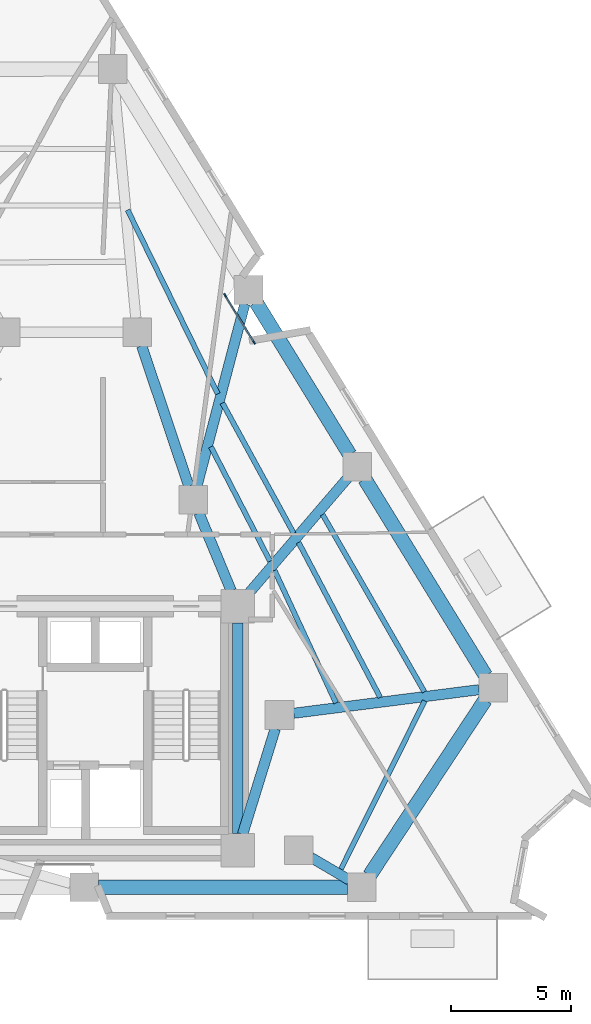
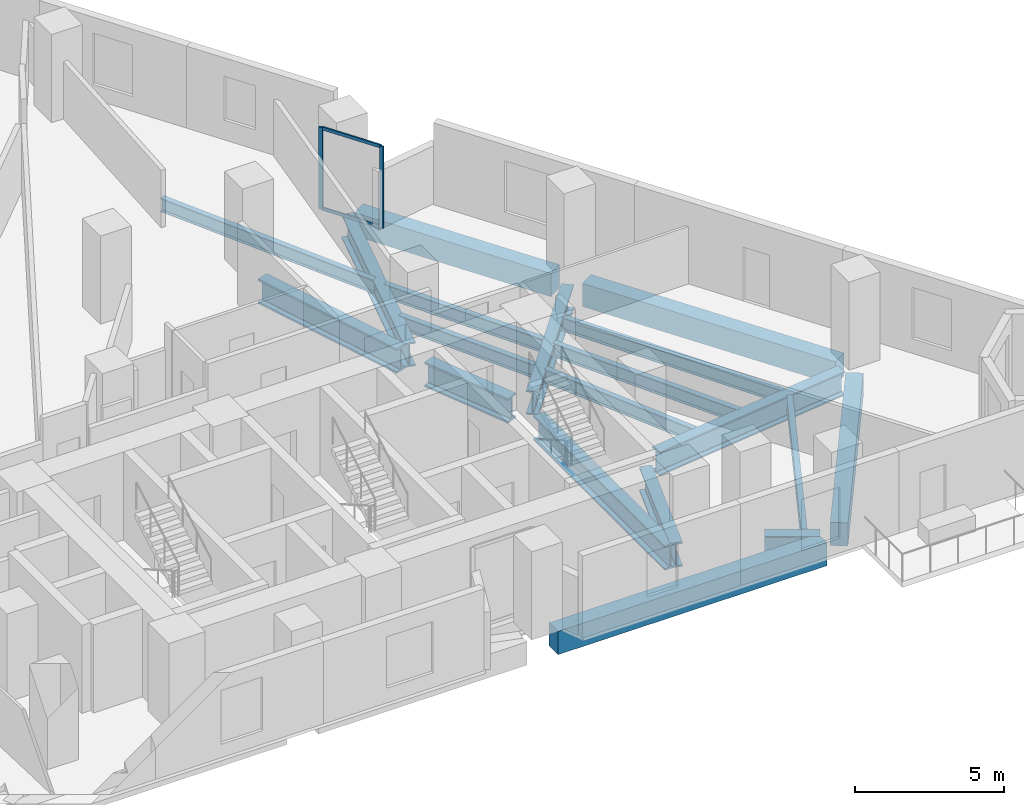
# One storey, part 4 of 12: 19 beams, 4 members, 1 element without a shape of its own.
"""IFC4 building model written with IfcOpenShell, lengths in metres."""

from ifc_helpers import new_model, si_unit, direction, frame, origin, origin_2d, place, context, subcontext, project, spatial, rectangle, i_section, extrude, material, layer, layer_set, material_profile, profile_set, type_object, element, aggregate, save


model = new_model("IFC4")

# Units and contexts
model_context = context("Model", 3, precision=1e-05, world=origin(), true_north=direction((0.0, 1.0)))
body_context = subcontext(model_context, "Body", "Model", "MODEL_VIEW")
ifc_project = project(units=[si_unit("LENGTHUNIT", "METRE"), si_unit("AREAUNIT", "SQUARE_METRE"), si_unit("VOLUMEUNIT", "CUBIC_METRE"), si_unit("PLANEANGLEUNIT", "RADIAN"), si_unit("MASSUNIT", "GRAM", prefix="KILO")], contexts=[model_context])

# Site, building, storey
site_placement = place(None, origin())
site = spatial("IfcSite", under=ifc_project, at=site_placement, CompositionType="ELEMENT")
building_placement = place(site_placement, origin())
building = spatial("IfcBuilding", under=site, at=building_placement, Name="Almagre Mirador Tower", CompositionType="ELEMENT")
storey_placement = place(building_placement, frame((0.0, 0.0, 93.0)))
storey = spatial("IfcBuildingStorey", under=building, at=storey_placement, Name="L23", CompositionType="ELEMENT", Elevation=93.0)

# Beams
ifc_material_1 = material(Name="Steel ASTM A992 Grade 50", Category="steel")
ifc_material_profile_1 = material_profile(ifc_material_1, i_section(OverallWidth=0.214111328125, OverallDepth=0.549072265625, WebThickness=0.0146484375, FlangeThickness=0.023681640625, FilletRadius=0.01806640625, at=origin_2d()), Name="W21X93")
ifc_profile_set_1 = profile_set([ifc_material_profile_1], Name="Steel ASTM A992 Grade 50")
beam_type_1 = type_object("IfcBeamType", Name="BM-JST-W21X93", PredefinedType="JOIST", material=ifc_profile_set_1)
beam_1_placement = place(storey_placement, frame((51.36865234375, 3.75927734375, -0.5244140625), z_axis=(0.445858512844, 0.89510345018, 0.0), x_axis=(-0.89510345018, 0.445858512844, 0.0)))
element("IfcBeam", 1, at=beam_1_placement, inside=storey, type_object=beam_type_1, Name="L23 secondary floor joist PC04-PC05.1", PredefinedType="JOIST", context=body_context, shape_type="SweptSolid", body=[
    extrude(i_section(OverallWidth=0.214111328125, OverallDepth=0.549072265625, WebThickness=0.0146484375, FlangeThickness=0.023681640625, FilletRadius=0.01806640625, at=origin_2d()), origin(), (0.0, 0.0, 1.0), 7.858154296875),
])
beam_2_placement = place(storey_placement, frame((54.861083984375, 11.170166015625, -0.5244140625), z_axis=(-0.498260180267, 0.867027561707, 0.0), x_axis=(-0.867027561707, -0.498260180267, 0.0)))
element("IfcBeam", 2, at=beam_2_placement, inside=storey, type_object=beam_type_1, Name="L23 secondary floor joist PC05-PC06.1", PredefinedType="JOIST", context=body_context, shape_type="SweptSolid", body=[
    extrude(i_section(OverallWidth=0.214111328125, OverallDepth=0.549072265625, WebThickness=0.0146484375, FlangeThickness=0.023681640625, FilletRadius=0.01806640625, at=origin_2d()), origin(), (0.0, 0.0, 1.0), 8.54638671875),
])
beam_3_placement = place(storey_placement, frame((53.010498046875, 10.937744140625, -0.5244140625), z_axis=(-0.466003449067, 0.884782903009, 0.0), x_axis=(-0.884782903009, -0.466003449067, 0.0)))
element("IfcBeam", 3, at=beam_3_placement, inside=storey, type_object=beam_type_1, Name="L23 secondary floor joist PC05-PC06.2", PredefinedType="JOIST", context=body_context, shape_type="SweptSolid", body=[
    extrude(i_section(OverallWidth=0.214111328125, OverallDepth=0.549072265625, WebThickness=0.0146484375, FlangeThickness=0.023681640625, FilletRadius=0.01806640625, at=origin_2d()), origin(), (0.0, 0.0, 1.0), 7.320556640625),
])
beam_4_placement = place(storey_placement, frame((51.16259765625, 10.7060546875, -0.5244140625), z_axis=(-0.420643946583, 0.90722580993, 0.0), x_axis=(-0.90722580993, -0.420643946583, 0.0)))
element("IfcBeam", 4, at=beam_4_placement, inside=storey, type_object=beam_type_1, Name="L23 secondary floor joist PC05-PC06.3", PredefinedType="JOIST", context=body_context, shape_type="SweptSolid", body=[
    extrude(i_section(OverallWidth=0.214111328125, OverallDepth=0.549072265625, WebThickness=0.0146484375, FlangeThickness=0.023681640625, FilletRadius=0.01806640625, at=origin_2d()), origin(), (0.0, 0.0, 1.0), 6.109375),
])
beam_5_placement = place(storey_placement, frame((49.396728515625, 17.7919921875, -0.5244140625), z_axis=(-0.479727277222, 0.877417653965, 0.0), x_axis=(-0.877417653965, -0.479727277222, 0.0)))
element("IfcBeam", 5, at=beam_5_placement, inside=storey, type_object=beam_type_1, Name="L23 secondary floor joist PC06-PC07.2", PredefinedType="JOIST", context=body_context, shape_type="SweptSolid", body=[
    extrude(i_section(OverallWidth=0.214111328125, OverallDepth=0.549072265625, WebThickness=0.0146484375, FlangeThickness=0.023681640625, FilletRadius=0.01806640625, at=origin_2d()), origin(), (0.0, 0.0, 1.0), 6.2138671875),
])
beam_6_placement = place(storey_placement, frame((48.404296875, 16.6328125, -0.5244140625), z_axis=(-0.459287235834, 0.888287810904, 0.0), x_axis=(-0.888287810904, -0.459287235834, 0.0)))
element("IfcBeam", 6, at=beam_6_placement, inside=storey, type_object=beam_type_1, Name="L23 secondary floor joist PC06-PC07.3", PredefinedType="JOIST", context=body_context, shape_type="SweptSolid", body=[
    extrude(i_section(OverallWidth=0.214111328125, OverallDepth=0.549072265625, WebThickness=0.0146484375, FlangeThickness=0.023681640625, FilletRadius=0.01806640625, at=origin_2d()), origin(), (0.0, 0.0, 1.0), 5.384765625),
])
beam_7_placement = place(storey_placement, frame((46.21875, 23.6240234375, -0.5244140625), z_axis=(-0.439958933101, 0.898017893577, 0.0), x_axis=(-0.898017893577, -0.439958933101, 0.0)))
element("IfcBeam", 7, at=beam_7_placement, inside=storey, type_object=beam_type_1, Name="L23 secondary floor joist PC07-PC08.2", PredefinedType="JOIST", context=body_context, shape_type="SweptSolid", body=[
    extrude(i_section(OverallWidth=0.214111328125, OverallDepth=0.549072265625, WebThickness=0.0146484375, FlangeThickness=0.023681640625, FilletRadius=0.01806640625, at=origin_2d()), origin(), (0.0, 0.0, 1.0), 8.565185546875),
])
ifc_material_2 = material(Name="Precast concrete C50/60", Category="concrete")
ifc_material_profile_2 = material_profile(ifc_material_2, rectangle(XDim=0.60009765625, YDim=0.949951171875, at=origin_2d()), Name="RC600X950")
ifc_profile_set_2 = profile_set([ifc_material_profile_2], Name="Precast concrete C50/60")
beam_type_2 = type_object("IfcBeamType", Name="BM-SPN-RC600X950", PredefinedType="SPANDREL", material=ifc_profile_set_2)
beam_8_placement = place(storey_placement, frame((41.239990234375, 3.0, -0.72509765625), z_axis=(1.0, 0.0, 0.0), x_axis=(0.0, 1.0, 0.0)))
element("IfcBeam", 8, at=beam_8_placement, inside=storey, type_object=beam_type_2, Name="L23 perimeter spandrel beam PC03-PC04", PredefinedType="SPANDREL", context=body_context, shape_type="SweptSolid", body=[
    extrude(rectangle(XDim=0.60009765625, YDim=0.949951171875, at=origin_2d()), origin(), (0.0, 0.0, 1.0), 10.39990234375),
])
beam_9_placement = place(storey_placement, frame((52.570068359375, 3.501220703125, -0.72509765625), z_axis=(0.550014218611, 0.835155290545, 0.0), x_axis=(-0.835155290545, 0.550014218611, 0.0)))
element("IfcBeam", 9, at=beam_9_placement, inside=storey, type_object=beam_type_2, Name="L23 perimeter spandrel beam PC04-PC05", PredefinedType="SPANDREL", context=body_context, shape_type="SweptSolid", body=[
    extrude(rectangle(XDim=0.60009765625, YDim=0.949951171875, at=origin_2d()), origin(), (0.0, 0.0, 1.0), 8.78125),
])
beam_10_placement = place(storey_placement, frame((57.415771484375, 11.84716796875, -0.72509765625), z_axis=(-0.523677963784, 0.85191630472, 0.0), x_axis=(-0.85191630472, -0.523677963784, 0.0)))
element("IfcBeam", 10, at=beam_10_placement, inside=storey, type_object=beam_type_2, Name="L23 perimeter spandrel beam PC05-PC06", PredefinedType="SPANDREL", context=body_context, shape_type="SweptSolid", body=[
    extrude(rectangle(XDim=0.60009765625, YDim=0.949951171875, at=origin_2d()), origin(), (0.0, 0.0, 1.0), 9.646240234375),
])
beam_11_placement = place(storey_placement, frame((51.73583984375, 21.087158203125, -0.72509765625), z_axis=(-0.523685630809, 0.851911591707, 0.0), x_axis=(-0.851911591707, -0.523685630809, 0.0)))
element("IfcBeam", 11, at=beam_11_placement, inside=storey, type_object=beam_type_2, Name="L23 perimeter spandrel beam PC06-PC07", PredefinedType="SPANDREL", context=body_context, shape_type="SweptSolid", body=[
    extrude(rectangle(XDim=0.60009765625, YDim=0.949951171875, at=origin_2d()), origin(), (0.0, 0.0, 1.0), 7.476806640625),
])
ifc_material_3 = material(Name="Steel ASTM A992 Grade 50", Category="steel")
ifc_material_profile_3 = material_profile(ifc_material_3, i_section(OverallWidth=0.427978515625, OverallDepth=0.97509765625, WebThickness=0.031005859375, FlangeThickness=0.055908203125, FilletRadius=0.028076171875, at=origin_2d()), Name="W36X395")
ifc_profile_set_3 = profile_set([ifc_material_profile_3], Name="Steel ASTM A992 Grade 50")
beam_type_3 = type_object("IfcBeamType", Name="BM-STL-W36X395", PredefinedType="BEAM", material=ifc_profile_set_3)
beam_12_placement = place(storey_placement, frame((51.72265625, 3.3037109375, -0.737548828125), z_axis=(-0.862372214541, 0.50627479059, 0.0), x_axis=(-0.50627479059, -0.862372214541, 0.0)))
element("IfcBeam", 12, at=beam_12_placement, inside=storey, type_object=beam_type_3, Name="L23 radial floor girder PC04-MC2", PredefinedType="BEAM", context=body_context, shape_type="SweptSolid", body=[
    extrude(i_section(OverallWidth=0.427978515625, OverallDepth=0.97509765625, WebThickness=0.031005859375, FlangeThickness=0.055908203125, FilletRadius=0.028076171875, at=origin_2d()), origin(), (0.0, 0.0, 1.0), 1.861328125),
])
beam_13_placement = place(storey_placement, frame((57.134765625, 11.26025390625, -0.737548828125), z_axis=(-0.992004466141, -0.126202770006, 0.0), x_axis=(0.126202770006, -0.992004466141, 0.0)))
element("IfcBeam", 13, at=beam_13_placement, inside=storey, type_object=beam_type_3, Name="L23 radial floor girder PC05-MC3", PredefinedType="BEAM", context=body_context, shape_type="SweptSolid", body=[
    extrude(i_section(OverallWidth=0.427978515625, OverallDepth=0.97509765625, WebThickness=0.031005859375, FlangeThickness=0.055908203125, FilletRadius=0.028076171875, at=origin_2d()), origin(), (0.0, 0.0, 1.0), 7.802001953125),
])
beam_14_placement = place(storey_placement, frame((51.6591796875, 20.12060546875, -0.737548828125), z_axis=(-0.651270456957, -0.758845697026, 0.0), x_axis=(0.758845697026, -0.651270456957, 0.0)))
element("IfcBeam", 14, at=beam_14_placement, inside=storey, type_object=beam_type_3, Name="L23 radial floor girder PC06-CC6", PredefinedType="BEAM", context=body_context, shape_type="SweptSolid", body=[
    extrude(i_section(OverallWidth=0.427978515625, OverallDepth=0.97509765625, WebThickness=0.031005859375, FlangeThickness=0.055908203125, FilletRadius=0.028076171875, at=origin_2d()), origin(), (0.0, 0.0, 1.0), 6.377197265625),
])
beam_15_placement = place(storey_placement, frame((47.353515625, 27.3876953125, -0.737548828125), z_axis=(-0.25437719106, -0.967105084605, 0.0), x_axis=(0.967105084605, -0.25437719106, 0.0)))
element("IfcBeam", 15, at=beam_15_placement, inside=storey, type_object=beam_type_3, Name="L23 radial floor girder PC07-MC5", PredefinedType="BEAM", context=body_context, shape_type="SweptSolid", body=[
    extrude(i_section(OverallWidth=0.427978515625, OverallDepth=0.97509765625, WebThickness=0.031005859375, FlangeThickness=0.055908203125, FilletRadius=0.028076171875, at=origin_2d()), origin(), (0.0, 0.0, 1.0), 7.8662109375),
])
ifc_material_4 = material(Name="Steel ASTM A992 Grade 50", Category="steel")
ifc_material_profile_4 = material_profile(ifc_material_4, i_section(OverallWidth=0.43701171875, OverallDepth=1.010986328125, WebThickness=0.041015625, FlangeThickness=0.073974609375, FilletRadius=0.028076171875, at=origin_2d()), Name="W36X529")
ifc_profile_set_4 = profile_set([ifc_material_profile_4], Name="Steel ASTM A992 Grade 50")
beam_type_4 = type_object("IfcBeamType", Name="BM-STL-W36X529", PredefinedType="BEAM", material=ifc_profile_set_4)
beam_16_placement = place(storey_placement, frame((47.050048828125, 5.25, -0.755615234375), z_axis=(0.0, 1.0, 0.0), x_axis=(-1.0, 0.0, 0.0)))
element("IfcBeam", 16, at=beam_16_placement, inside=storey, type_object=beam_type_4, Name="L23 core tie girder CC3-CC6", PredefinedType="BEAM", context=body_context, shape_type="SweptSolid", body=[
    extrude(i_section(OverallWidth=0.43701171875, OverallDepth=1.010986328125, WebThickness=0.041015625, FlangeThickness=0.073974609375, FilletRadius=0.028076171875, at=origin_2d()), origin(), (0.0, 0.0, 1.0), 8.800048828125),
])
beam_17_placement = place(storey_placement, frame((48.62255859375, 9.626953125, -0.755615234375), z_axis=(-0.295888328273, -0.955222538046, 0.0), x_axis=(0.955222538046, -0.295888328273, 0.0)))
element("IfcBeam", 17, at=beam_17_placement, inside=storey, type_object=beam_type_4, Name="L23 core tie girder MC3-CC3", PredefinedType="BEAM", context=body_context, shape_type="SweptSolid", body=[
    extrude(i_section(OverallWidth=0.43701171875, OverallDepth=1.010986328125, WebThickness=0.041015625, FlangeThickness=0.073974609375, FilletRadius=0.028076171875, at=origin_2d()), origin(), (0.0, 0.0, 1.0), 4.61474609375),
])
beam_18_placement = place(storey_placement, frame((45.430419921875, 18.64599609375, -0.755615234375), z_axis=(0.383856635851, -0.923392702545, 0.0), x_axis=(0.923392702545, 0.383856635851, 0.0)))
element("IfcBeam", 18, at=beam_18_placement, inside=storey, type_object=beam_type_4, Name="L23 core tie girder MC5-CC6", PredefinedType="BEAM", context=body_context, shape_type="SweptSolid", body=[
    extrude(i_section(OverallWidth=0.43701171875, OverallDepth=1.010986328125, WebThickness=0.041015625, FlangeThickness=0.073974609375, FilletRadius=0.028076171875, at=origin_2d()), origin(), (0.0, 0.0, 1.0), 3.51904296875),
])
beam_19_placement = place(storey_placement, frame((43.041015625, 25.631103515625, -0.755615234375), z_axis=(0.318252395552, -0.948006019351, 0.0), x_axis=(0.948006019351, 0.318252395552, 0.0)))
element("IfcBeam", 19, at=beam_19_placement, inside=storey, type_object=beam_type_4, Name="L23 core tie girder MC6-MC5", PredefinedType="BEAM", context=body_context, shape_type="SweptSolid", body=[
    extrude(i_section(OverallWidth=0.43701171875, OverallDepth=1.010986328125, WebThickness=0.041015625, FlangeThickness=0.073974609375, FilletRadius=0.028076171875, at=origin_2d()), origin(), (0.0, 0.0, 1.0), 6.183837890625),
])

# Curtain wall, members
ifc_material_5 = material(Name="Black anodized aluminium", Category="aluminium")
ifc_layer = layer(ifc_material_5, 0.169921875)
ifc_layer_set = layer_set([ifc_layer], Name="Black anodized aluminium")
curtain_wall_type = type_object("IfcCurtainWallType", Name="CW-CRS-SYS", PredefinedType="NOTDEFINED", material=ifc_layer_set)
curtain_wall_placement = place(storey_placement, origin())
curtain_wall = element("IfcCurtainWall", 20, at=curtain_wall_placement, inside=storey, type_object=curtain_wall_type, Name="L23 vertical crease curtain wall 03", PredefinedType="NOTDEFINED")
ifc_material_6 = material(Name="Black anodized aluminium", Category="aluminium")
ifc_material_profile_5 = material_profile(ifc_material_6, rectangle(XDim=0.06005859375, YDim=0.14990234375, at=origin_2d()), Name="CWM60X150")
ifc_profile_set_5 = profile_set([ifc_material_profile_5], Name="Black anodized aluminium")
member_type_1 = type_object("IfcMemberType", Name="MBR-CWM60X150", PredefinedType="MULLION", material=ifc_profile_set_5)
member_1_placement = place(storey_placement, frame((46.52734375, 27.745849609375, 0.0), z_axis=(0.0, 0.0, 1.0), x_axis=(0.852078136772, 0.523414605102, 0.0)))
member_1 = element("IfcMember", 21, at=member_1_placement, type_object=member_type_1, Name="CW-4 mullion 1", PredefinedType="MULLION", context=body_context, shape_type="SweptSolid", body=[
    extrude(rectangle(XDim=0.06005859375, YDim=0.14990234375, at=origin_2d()), origin(), (0.0, 0.0, 1.0), 3.35009765625),
])
member_2_placement = place(storey_placement, frame((47.736572265625, 25.77734375, 0.0), z_axis=(0.0, 0.0, 1.0), x_axis=(0.852078136772, 0.523414605102, 0.0)))
member_2 = element("IfcMember", 22, at=member_2_placement, type_object=member_type_1, Name="CW-4 mullion 2", PredefinedType="MULLION", context=body_context, shape_type="SweptSolid", body=[
    extrude(rectangle(XDim=0.06005859375, YDim=0.14990234375, at=origin_2d()), origin(), (0.0, 0.0, 1.0), 3.35009765625),
])
ifc_material_7 = material(Name="Black anodized aluminium", Category="aluminium")
ifc_material_profile_6 = material_profile(ifc_material_7, rectangle(XDim=0.06005859375, YDim=0.1298828125, at=origin_2d()), Name="CWT60X130")
ifc_profile_set_6 = profile_set([ifc_material_profile_6], Name="Black anodized aluminium")
member_type_2 = type_object("IfcMemberType", Name="MBR-CWT60X130", PredefinedType="USERDEFINED", material=ifc_profile_set_6)
member_3_placement = place(storey_placement, frame((46.543212890625, 27.72021484375, 0.030029296875), z_axis=(0.523370843284, -0.852105017237, 0.0), x_axis=(0.852105017237, 0.523370843284, 0.0)))
member_3 = element("IfcMember", 23, at=member_3_placement, type_object=member_type_2, Name="CW-4 transom 1.1", ObjectType="TRANSOM", PredefinedType="USERDEFINED", context=body_context, shape_type="SweptSolid", body=[
    extrude(rectangle(XDim=0.06005859375, YDim=0.1298828125, at=origin_2d()), origin(), (0.0, 0.0, 1.0), 2.250244140625),
])
member_4_placement = place(storey_placement, frame((46.543212890625, 27.72021484375, 3.320068359375), z_axis=(0.523370843284, -0.852105017237, 0.0), x_axis=(0.852105017237, 0.523370843284, 0.0)))
member_4 = element("IfcMember", 24, at=member_4_placement, type_object=member_type_2, Name="CW-4 transom 1.2", ObjectType="TRANSOM", PredefinedType="USERDEFINED", context=body_context, shape_type="SweptSolid", body=[
    extrude(rectangle(XDim=0.06005859375, YDim=0.1298828125, at=origin_2d()), origin(), (0.0, 0.0, 1.0), 2.250244140625),
])
aggregate(curtain_wall, [member_1, member_2, member_3, member_4])

save(model, "model.ifc")
